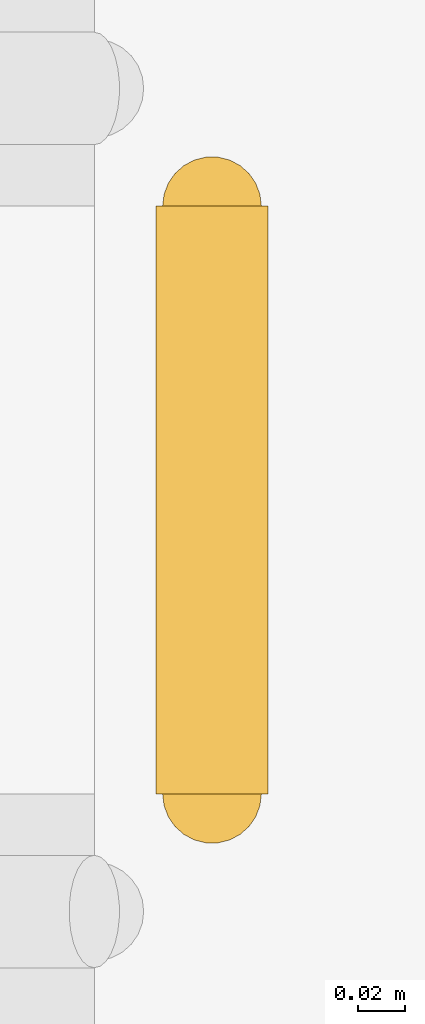
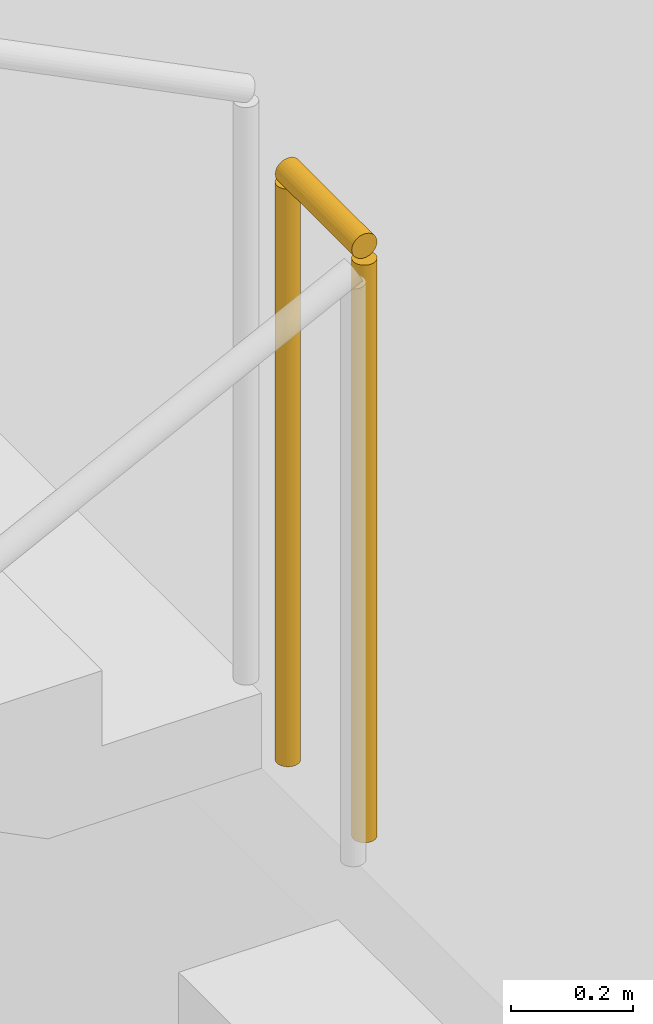
# One storey, part 47 of 65: 1 railing.
"""IFC4 building model written with IfcOpenShell, lengths in metres."""

from ifc_helpers import new_model, si_unit, direction, frame, origin, origin_2d, place, context, subcontext, project, spatial, circle, extrude, material, type_object, element, save


model = new_model("IFC4")

# Units and contexts
model_context = context("Model", 3, precision=1e-05, world=origin(), true_north=direction((0.0, 1.0)))
body_context = subcontext(model_context, "Body", "Model", "MODEL_VIEW")
ifc_project = project(units=[si_unit("LENGTHUNIT", "METRE"), si_unit("AREAUNIT", "SQUARE_METRE"), si_unit("VOLUMEUNIT", "CUBIC_METRE"), si_unit("PLANEANGLEUNIT", "RADIAN"), si_unit("MASSUNIT", "GRAM", prefix="KILO")], contexts=[model_context])

# Site, building, storey
site_placement = place(None, origin())
site = spatial("IfcSite", under=ifc_project, at=site_placement, CompositionType="ELEMENT")
building_placement = place(site_placement, origin())
building = spatial("IfcBuilding", under=site, at=building_placement, Name="Chuanluo Vaults Station", CompositionType="ELEMENT")
storey_placement = place(building_placement, origin())
storey = spatial("IfcBuildingStorey", under=building, at=storey_placement, Name="L00", CompositionType="ELEMENT", Elevation=0.0)

# Railing
ifc_material = material(Name="Tempered laminated balustrade glass", Category="glass")
railing_type = type_object("IfcRailingType", Name="RLG-GUARD-1200", PredefinedType="BALUSTRADE", material=ifc_material)
railing_placement = place(storey_placement, frame((32.60009765625, 112.75, 3.300048828125)))
element("IfcRailing", 1, at=railing_placement, inside=storey, type_object=railing_type, Name="L00 ST-16 stair guard 2", PredefinedType="BALUSTRADE", context=body_context, shape_type="SweptSolid", body=[
    extrude(circle(Radius=0.02392578125, at=origin_2d()), frame((0.0, 0.0, 1.17578125), z_axis=(0.0, 1.0, 0.0), x_axis=(-1.0, 0.0, 0.0)), (0.0, 0.0, 1.0), 0.25),
    extrude(circle(Radius=0.02099609375, at=origin_2d()), origin(), (0.0, 0.0, 1.0), 1.15185546875),
    extrude(circle(Radius=0.02099609375, at=origin_2d()), frame((0.0, 0.25, 0.0)), (0.0, 0.0, 1.0), 1.15185546875),
])

save(model, "model.ifc")
